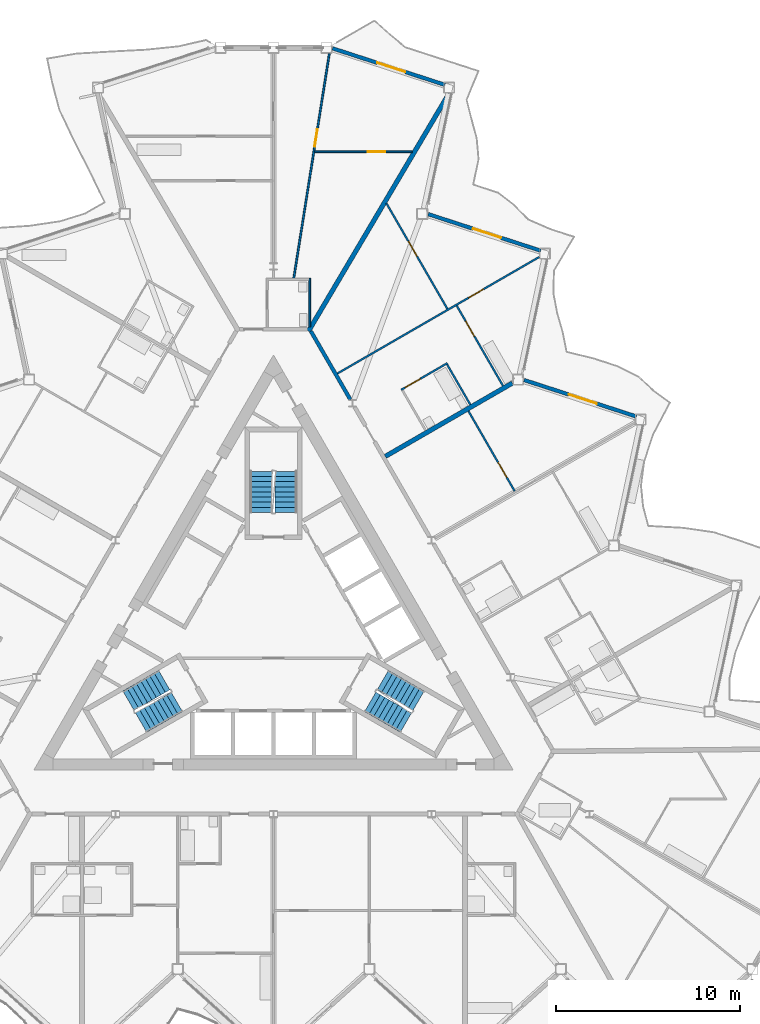
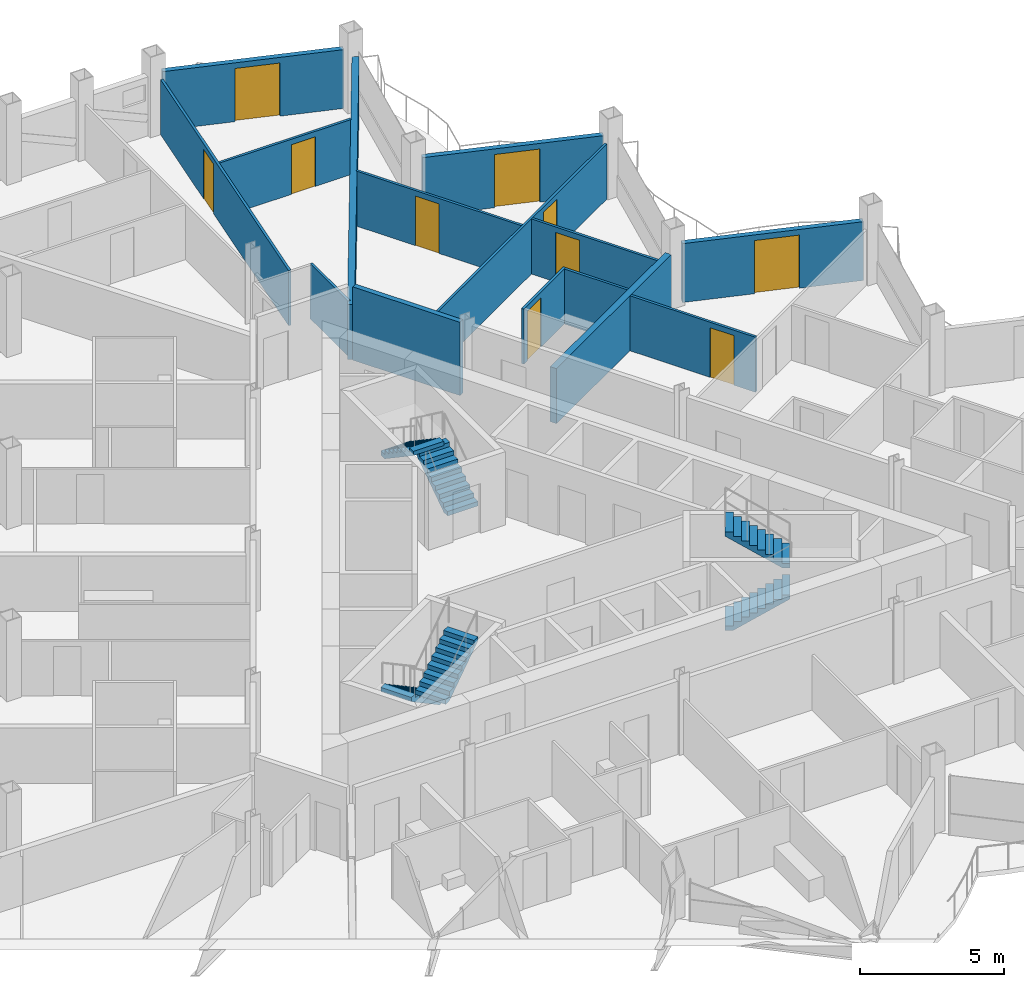
# One storey, part 19 of 27: 15 walls, 10 doors, 6 stair flights, 10 openings, 3 elements without a shape of their own.
"""IFC4 building model written with IfcOpenShell, lengths in metres."""

from ifc_helpers import new_model, si_unit, direction, frame, frame_2d, origin, place, context, subcontext, project, spatial, polyline, rectangle, outline, extrude, material, layer, layer_set, type_object, element, fill, aggregate, save


model = new_model("IFC4")

# Units and contexts
model_context = context("Model", 3, precision=1e-05, world=origin(), true_north=direction((0.0, 1.0)))
body_context = subcontext(model_context, "Body", "Model", "MODEL_VIEW")
ifc_project = project(units=[si_unit("LENGTHUNIT", "METRE"), si_unit("AREAUNIT", "SQUARE_METRE"), si_unit("VOLUMEUNIT", "CUBIC_METRE"), si_unit("PLANEANGLEUNIT", "RADIAN"), si_unit("MASSUNIT", "GRAM", prefix="KILO")], contexts=[model_context])

# Site, building, storey
site_placement = place(None, origin())
site = spatial("IfcSite", under=ifc_project, at=site_placement, CompositionType="ELEMENT")
building_placement = place(site_placement, origin())
building = spatial("IfcBuilding", under=site, at=building_placement, Name="Cormorant Prow Tower", CompositionType="ELEMENT")
storey_placement = place(building_placement, frame((0.0, 0.0, 335.800048828125)))
storey = spatial("IfcBuildingStorey", under=building, at=storey_placement, Name="L75", CompositionType="ELEMENT", Elevation=335.800048828125)

# Wall
ifc_material_1 = material(Name="Gypsum board corridor wall")
ifc_layer_1 = layer(ifc_material_1, 0.199951171875)
ifc_layer_set_1 = layer_set([ifc_layer_1], Name="Gypsum board corridor wall")
wall_type_1 = type_object("IfcWallType", Name="Corridor wall 200", PredefinedType="PARTITIONING", material=ifc_layer_set_1)
wall_1_placement = place(storey_placement, frame((2.025390625, 16.302978515625, 0.0), z_axis=(0.0, 0.0, 1.0), x_axis=(0.499978750566, -0.866037671803, 0.0)))
element("IfcWall", 1, at=wall_1_placement, inside=storey, type_object=wall_type_1, Name="Corridor wall", PredefinedType="PARTITIONING", context=body_context, shape_type="SweptSolid", body=[
    extrude(rectangle(XDim=4.287841796875, YDim=0.199951171875, at=frame_2d((2.14404296875, 0.0))), origin(), (0.0, 0.0, 1.0), 3.099853515625),
])

# Wall, opening, door
ifc_material_2 = material(Name="Gypsum board partition")
ifc_layer_2 = layer(ifc_material_2, 0.10009765625)
ifc_layer_set_2 = layer_set([ifc_layer_2], Name="Gypsum board partition")
wall_type_2 = type_object("IfcWallType", Name="Internal partition 100", PredefinedType="PARTITIONING", material=ifc_layer_set_2)
wall_2_placement = place(storey_placement, frame((3.46875, 14.0029296875, 0.0), z_axis=(0.0, 0.0, 1.0), x_axis=(0.866021563384, 0.50000665171, 0.0)))
wall_2 = element("IfcWall", 2, at=wall_2_placement, inside=storey, type_object=wall_type_2, Name="Internal partition", PredefinedType="PARTITIONING", context=body_context, shape_type="SweptSolid", body=[
    extrude(rectangle(XDim=12.641357421875, YDim=0.10009765625, at=frame_2d((6.32080078125, 0.0))), origin(), (0.0, 0.0, 1.0), 2.330078125),
])
opening_1_placement = place(wall_2_placement, frame((8.215087890625, 0.0, 0.0)))
opening_1 = element("IfcOpeningElement", 3, at=opening_1_placement, cuts=wall_2, Name="Opening L75-F35", PredefinedType="OPENING", context=body_context, shape_type="SweptSolid", body=[
    extrude(rectangle(XDim=0.949951171875, YDim=2.10009765625, at=frame_2d((0.47509765625, 1.050048828125))), frame((0.0, 0.06005859375, 0.0), z_axis=(0.0, -1.0, 0.0), x_axis=(1.0, 0.0, 0.0)), (0.0, 0.0, 1.0), 0.1201171875),
])
ifc_material_3 = material(Name="Timber door leaf", Category="wood")
door_type_1 = type_object("IfcDoorType", Name="Bathroom door 950x2100", OperationType="NOTDEFINED", PredefinedType="DOOR", material=ifc_material_3)
door_1_placement = place(opening_1_placement, origin())
door_1 = element("IfcDoor", 4, at=door_1_placement, inside=storey, type_object=door_type_1, Name="Kitchen door", OperationType="SINGLE_SWING_LEFT", OverallHeight=2.10009765625, OverallWidth=0.949951171875, PredefinedType="DOOR", context=body_context, shape_type="SweptSolid", body=[
    extrude(rectangle(XDim=0.949951171875, YDim=2.10009765625, at=frame_2d((0.47509765625, 1.050048828125))), frame((0.0, 0.02490234375, 0.0), z_axis=(0.0, -1.0, 0.0), x_axis=(1.0, 0.0, 0.0)), (0.0, 0.0, 1.0), 0.050048828125),
])
fill(opening_1, door_1)

wall_3_placement = place(storey_placement, frame((1.097900390625, 19.160400390625, 0.0), z_axis=(0.0, 0.0, 1.0), x_axis=(0.156426176129, 0.987689653394, 0.0)))
wall_3 = element("IfcWall", 5, at=wall_3_placement, inside=storey, type_object=wall_type_2, Name="Internal partition", PredefinedType="PARTITIONING", context=body_context, shape_type="SweptSolid", body=[
    extrude(rectangle(XDim=12.35791015625, YDim=0.10009765625, at=frame_2d((6.178955078125, 0.0))), origin(), (0.0, 0.0, 1.0), 2.330078125),
])
opening_2_placement = place(wall_3_placement, frame((7.2548828125, 0.0, 0.0)))
opening_2 = element("IfcOpeningElement", 6, at=opening_2_placement, cuts=wall_3, Name="Opening L75-F42", PredefinedType="OPENING", context=body_context, shape_type="SweptSolid", body=[
    extrude(rectangle(XDim=0.949951171875, YDim=2.10009765625, at=frame_2d((0.47509765625, 1.050048828125))), frame((0.0, 0.06005859375, 0.0), z_axis=(0.0, -1.0, 0.0), x_axis=(1.0, 0.0, 0.0)), (0.0, 0.0, 1.0), 0.1201171875),
])
door_2_placement = place(opening_2_placement, origin())
door_2 = element("IfcDoor", 7, at=door_2_placement, inside=storey, type_object=door_type_1, Name="Bedroom door", OperationType="SINGLE_SWING_LEFT", OverallHeight=2.10009765625, OverallWidth=0.949951171875, PredefinedType="DOOR", context=body_context, shape_type="SweptSolid", body=[
    extrude(rectangle(XDim=0.949951171875, YDim=2.10009765625, at=frame_2d((0.47509765625, 1.050048828125))), frame((0.0, 0.02490234375, 0.0), z_axis=(0.0, -1.0, 0.0), x_axis=(1.0, 0.0, 0.0)), (0.0, 0.0, 1.0), 0.050048828125),
])
fill(opening_2, door_2)

wall_4_placement = place(storey_placement, frame((6.127197265625, 23.2412109375, 0.0), z_axis=(0.0, 0.0, 1.0), x_axis=(0.500021410345, -0.866013042163, 0.0)))
wall_4 = element("IfcWall", 8, at=wall_4_placement, inside=storey, type_object=wall_type_2, Name="Internal partition", PredefinedType="PARTITIONING", context=body_context, shape_type="SweptSolid", body=[
    extrude(rectangle(XDim=6.621337890625, YDim=0.10009765625, at=frame_2d((3.310546875, 0.0))), origin(), (0.0, 0.0, 1.0), 2.330078125),
])
opening_3_placement = place(wall_4_placement, frame((2.37939453125, 0.0, 0.0)))
opening_3 = element("IfcOpeningElement", 9, at=opening_3_placement, cuts=wall_4, Name="Opening L75-F36", PredefinedType="OPENING", context=body_context, shape_type="SweptSolid", body=[
    extrude(rectangle(XDim=0.949951171875, YDim=2.10009765625, at=frame_2d((0.47509765625, 1.050048828125))), frame((0.0, 0.06005859375, 0.0), z_axis=(0.0, -1.0, 0.0), x_axis=(1.0, 0.0, 0.0)), (0.0, 0.0, 1.0), 0.1201171875),
])
door_3_placement = place(opening_3_placement, origin())
door_3 = element("IfcDoor", 10, at=door_3_placement, inside=storey, type_object=door_type_1, Name="Bedroom door", OperationType="SINGLE_SWING_LEFT", OverallHeight=2.10009765625, OverallWidth=0.949951171875, PredefinedType="DOOR", context=body_context, shape_type="SweptSolid", body=[
    extrude(rectangle(XDim=0.949951171875, YDim=2.10009765625, at=frame_2d((0.47509765625, 1.050048828125))), frame((0.0, 0.02490234375, 0.0), z_axis=(0.0, -1.0, 0.0), x_axis=(1.0, 0.0, 0.0)), (0.0, 0.0, 1.0), 0.050048828125),
])
fill(opening_3, door_3)

wall_5_placement = place(storey_placement, frame((2.236572265625, 26.034423828125, 0.0), z_axis=(0.0, 0.0, 1.0), x_axis=(1.0, 0.0, 0.0)))
wall_5 = element("IfcWall", 11, at=wall_5_placement, inside=storey, type_object=wall_type_2, Name="Internal partition", PredefinedType="PARTITIONING", context=body_context, shape_type="SweptSolid", body=[
    extrude(rectangle(XDim=5.282470703125, YDim=0.10009765625, at=frame_2d((2.64111328125, 0.0))), origin(), (0.0, 0.0, 1.0), 2.330078125),
])
opening_4_placement = place(wall_5_placement, frame((2.8720703125, 0.0, 0.0)))
opening_4 = element("IfcOpeningElement", 12, at=opening_4_placement, cuts=wall_5, Name="Opening L75-F43", PredefinedType="OPENING", context=body_context, shape_type="SweptSolid", body=[
    extrude(rectangle(XDim=0.949951171875, YDim=2.10009765625, at=frame_2d((0.47509765625, 1.050048828125))), frame((0.0, 0.06005859375, 0.0), z_axis=(0.0, -1.0, 0.0), x_axis=(1.0, 0.0, 0.0)), (0.0, 0.0, 1.0), 0.1201171875),
])
door_4_placement = place(opening_4_placement, origin())
door_4 = element("IfcDoor", 13, at=door_4_placement, inside=storey, type_object=door_type_1, Name="Bedroom door", OperationType="SINGLE_SWING_LEFT", OverallHeight=2.10009765625, OverallWidth=0.949951171875, PredefinedType="DOOR", context=body_context, shape_type="SweptSolid", body=[
    extrude(rectangle(XDim=0.949951171875, YDim=2.10009765625, at=frame_2d((0.47509765625, 1.050048828125))), frame((0.0, 0.02490234375, 0.0), z_axis=(0.0, -1.0, 0.0), x_axis=(1.0, 0.0, 0.0)), (0.0, 0.0, 1.0), 0.050048828125),
])
fill(opening_4, door_4)

wall_6_placement = place(storey_placement, frame((10.579345703125, 11.9638671875, 0.0), z_axis=(0.0, 0.0, 1.0), x_axis=(0.499972176429, -0.866041467135, 0.0)))
wall_6 = element("IfcWall", 14, at=wall_6_placement, inside=storey, type_object=wall_type_2, Name="Internal partition", PredefinedType="PARTITIONING", context=body_context, shape_type="SweptSolid", body=[
    extrude(rectangle(XDim=5.021240234375, YDim=0.10009765625, at=frame_2d((2.5107421875, 0.0))), origin(), (0.0, 0.0, 1.0), 2.330078125),
])
opening_5_placement = place(wall_6_placement, frame((3.208984375, 0.0, 0.0)))
opening_5 = element("IfcOpeningElement", 15, at=opening_5_placement, cuts=wall_6, Name="Opening L75-F30", PredefinedType="OPENING", context=body_context, shape_type="SweptSolid", body=[
    extrude(rectangle(XDim=0.949951171875, YDim=2.10009765625, at=frame_2d((0.47509765625, 1.050048828125))), frame((0.0, 0.06005859375, 0.0), z_axis=(0.0, -1.0, 0.0), x_axis=(1.0, 0.0, 0.0)), (0.0, 0.0, 1.0), 0.1201171875),
])
door_5_placement = place(opening_5_placement, origin())
door_5 = element("IfcDoor", 16, at=door_5_placement, inside=storey, type_object=door_type_1, Name="Bedroom door", OperationType="SINGLE_SWING_RIGHT", OverallHeight=2.10009765625, OverallWidth=0.949951171875, PredefinedType="DOOR", context=body_context, shape_type="SweptSolid", body=[
    extrude(rectangle(XDim=0.949951171875, YDim=2.10009765625, at=frame_2d((0.47509765625, 1.050048828125))), frame((0.0, 0.02490234375, 0.0), z_axis=(0.0, -1.0, 0.0), x_axis=(1.0, 0.0, 0.0)), (0.0, 0.0, 1.0), 0.050048828125),
])
fill(opening_5, door_5)

wall_7_placement = place(storey_placement, frame((9.943603515625, 17.68359375, 0.0), z_axis=(0.0, 0.0, 1.0), x_axis=(0.499972176429, -0.866041467135, 0.0)))
wall_7 = element("IfcWall", 17, at=wall_7_placement, inside=storey, type_object=wall_type_2, Name="Internal partition", PredefinedType="PARTITIONING", context=body_context, shape_type="SweptSolid", body=[
    extrude(rectangle(XDim=5.021240234375, YDim=0.10009765625, at=frame_2d((2.5107421875, 0.0))), origin(), (0.0, 0.0, 1.0), 2.330078125),
])
opening_6_placement = place(wall_7_placement, frame((0.96435546875, 0.0, 0.0)))
opening_6 = element("IfcOpeningElement", 18, at=opening_6_placement, cuts=wall_7, Name="Opening L75-F34", PredefinedType="OPENING", context=body_context, shape_type="SweptSolid", body=[
    extrude(rectangle(XDim=0.949951171875, YDim=2.10009765625, at=frame_2d((0.47509765625, 1.050048828125))), frame((0.0, 0.06005859375, 0.0), z_axis=(0.0, -1.0, 0.0), x_axis=(1.0, 0.0, 0.0)), (0.0, 0.0, 1.0), 0.1201171875),
])
door_6_placement = place(opening_6_placement, origin())
door_6 = element("IfcDoor", 19, at=door_6_placement, inside=storey, type_object=door_type_1, Name="Living room door", OperationType="SINGLE_SWING_LEFT", OverallHeight=2.10009765625, OverallWidth=0.949951171875, PredefinedType="DOOR", context=body_context, shape_type="SweptSolid", body=[
    extrude(rectangle(XDim=0.949951171875, YDim=2.10009765625, at=frame_2d((0.47509765625, 1.050048828125))), frame((0.0, 0.02490234375, 0.0), z_axis=(0.0, -1.0, 0.0), x_axis=(1.0, 0.0, 0.0)), (0.0, 0.0, 1.0), 0.050048828125),
])
fill(opening_6, door_6)

wall_8_placement = place(storey_placement, frame((6.92529296875, 13.1162109375, 0.0), z_axis=(0.0, 0.0, 1.0), x_axis=(0.866032775405, 0.499987231761, 0.0)))
wall_8 = element("IfcWall", 20, at=wall_8_placement, inside=storey, type_object=wall_type_2, Name="Internal partition", PredefinedType="PARTITIONING", context=body_context, shape_type="SweptSolid", body=[
    extrude(rectangle(XDim=2.89990234375, YDim=0.10009765625, at=frame_2d((1.449951171875, 0.0))), origin(), (0.0, 0.0, 1.0), 2.330078125),
])
opening_7_placement = place(wall_8_placement, frame((0.25, 0.0, 0.0)))
opening_7 = element("IfcOpeningElement", 21, at=opening_7_placement, cuts=wall_8, Name="Opening L75-F33", PredefinedType="OPENING", context=body_context, shape_type="SweptSolid", body=[
    extrude(rectangle(XDim=0.949951171875, YDim=2.10009765625, at=frame_2d((0.47509765625, 1.050048828125))), frame((0.0, 0.06005859375, 0.0), z_axis=(0.0, -1.0, 0.0), x_axis=(1.0, 0.0, 0.0)), (0.0, 0.0, 1.0), 0.1201171875),
])
door_7_placement = place(opening_7_placement, origin())
door_7 = element("IfcDoor", 22, at=door_7_placement, inside=storey, type_object=door_type_1, Name="Living room door", OperationType="SINGLE_SWING_LEFT", OverallHeight=2.10009765625, OverallWidth=0.949951171875, PredefinedType="DOOR", context=body_context, shape_type="SweptSolid", body=[
    extrude(rectangle(XDim=0.949951171875, YDim=2.10009765625, at=frame_2d((0.47509765625, 1.050048828125))), frame((0.0, 0.02490234375, 0.0), z_axis=(0.0, -1.0, 0.0), x_axis=(1.0, 0.0, 0.0)), (0.0, 0.0, 1.0), 0.050048828125),
])
fill(opening_7, door_7)

# Walls
wall_9_placement = place(storey_placement, frame((1.962890625, 16.5361328125, 0.0), z_axis=(0.0, 0.0, 1.0), x_axis=(0.0, 1.0, 0.0)))
element("IfcWall", 23, at=wall_9_placement, inside=storey, type_object=wall_type_2, Name="Internal partition", PredefinedType="PARTITIONING", context=body_context, shape_type="SweptSolid", body=[
    extrude(rectangle(XDim=2.625, YDim=0.10009765625, at=frame_2d((1.3125, 0.0))), origin(), (0.0, 0.0, 1.0), 2.330078125),
])
wall_10_placement = place(storey_placement, frame((9.41845703125, 14.497802734375, 0.0), z_axis=(0.0, 0.0, 1.0), x_axis=(0.499976333282, -0.866039067339, 0.0)))
element("IfcWall", 24, at=wall_10_placement, inside=storey, type_object=wall_type_2, Name="Internal partition", PredefinedType="PARTITIONING", context=body_context, shape_type="SweptSolid", body=[
    extrude(rectangle(XDim=2.52490234375, YDim=0.10009765625, at=frame_2d((1.262451171875, 0.0))), origin(), (0.0, 0.0, 1.0), 2.330078125),
])
ifc_material_4 = material(Name="Acoustic gypsum party wall")
ifc_layer_3 = layer(ifc_material_4, 0.25)
ifc_layer_set_3 = layer_set([ifc_layer_3], Name="Acoustic gypsum party wall")
wall_type_3 = type_object("IfcWallType", Name="Suite party wall 250", PredefinedType="PARTITIONING", material=ifc_layer_set_3)
wall_11_placement = place(storey_placement, frame((1.8994140625, 16.303466796875, 0.0), z_axis=(0.0, 0.0, 1.0), x_axis=(0.508895604687, 0.860828242758, 0.0)))
element("IfcWall", 25, at=wall_11_placement, inside=storey, type_object=wall_type_3, Name="Suite party wall", PredefinedType="PARTITIONING", context=body_context, shape_type="SweptSolid", body=[
    extrude(rectangle(XDim=14.986328125, YDim=0.25, at=frame_2d((7.4931640625, 0.0))), origin(), (0.0, 0.0, 1.0), 2.330078125),
])
wall_12_placement = place(storey_placement, frame((6.06689453125, 9.5029296875, 0.0), z_axis=(0.0, 0.0, 1.0), x_axis=(0.866032392051, 0.499987895772, 0.0)))
element("IfcWall", 26, at=wall_12_placement, inside=storey, type_object=wall_type_3, Name="Suite party wall", PredefinedType="PARTITIONING", context=body_context, shape_type="SweptSolid", body=[
    extrude(rectangle(XDim=7.961669921875, YDim=0.25, at=frame_2d((3.98095703125, 0.0))), origin(), (0.0, 0.0, 1.0), 2.330078125),
])

# Wall, opening, door
ifc_material_5 = material(Name="Terracotta", Category="masonry")
ifc_layer_4 = layer(ifc_material_5, 0.199951171875)
ifc_layer_set_4 = layer_set([ifc_layer_4], Name="Terracotta")
wall_type_4 = type_object("IfcWallType", Name="Terracotta jamb wall 200", PredefinedType="SOLIDWALL", material=ifc_layer_set_4)
wall_13_placement = place(storey_placement, frame((19.697021484375, 11.667236328125, 0.0), z_axis=(0.0, 0.0, 1.0), x_axis=(-0.951053926112, 0.309024966026, 0.0)))
wall_13 = element("IfcWall", 27, at=wall_13_placement, inside=storey, type_object=wall_type_4, Name="Terracotta jamb wall ENE05", PredefinedType="SOLIDWALL", context=body_context, shape_type="SweptSolid", body=[
    extrude(rectangle(XDim=6.414306640625, YDim=0.199951171875, at=frame_2d((3.20703125, 0.0))), origin(), (0.0, 0.0, 1.0), 2.48779296875),
])
opening_8_placement = place(wall_13_placement, frame((2.26220703125, 0.0, 0.0)))
opening_8 = element("IfcOpeningElement", 28, at=opening_8_placement, cuts=wall_13, Name="Opening ED75.08", PredefinedType="OPENING", context=body_context, shape_type="SweptSolid", body=[
    extrude(rectangle(XDim=1.60009765625, YDim=2.25, at=frame_2d((0.800048828125, 1.125))), frame((0.0, 0.10986328125, 0.0), z_axis=(0.0, -1.0, 0.0), x_axis=(1.0, 0.0, 0.0)), (0.0, 0.0, 1.0), 0.219970703125),
])
ifc_material_6 = material(Name="Aluminium 6063-T6", Category="aluminium")
door_type_2 = type_object("IfcDoorType", Name="Balcony door 1600x2250", OperationType="DOUBLE_DOOR_SINGLE_SWING", PredefinedType="DOOR", material=ifc_material_6)
door_8_placement = place(opening_8_placement, origin())
door_8 = element("IfcDoor", 29, at=door_8_placement, inside=storey, type_object=door_type_2, Name="Balcony door ENE05 ED75.08", OperationType="DOUBLE_DOOR_SINGLE_SWING", OverallHeight=2.25, OverallWidth=1.60009765625, PredefinedType="DOOR", context=body_context, shape_type="SweptSolid", body=[
    extrude(rectangle(XDim=1.60009765625, YDim=2.25, at=frame_2d((0.800048828125, 1.125))), frame((0.0, 0.02490234375, 0.0), z_axis=(0.0, -1.0, 0.0), x_axis=(1.0, 0.0, 0.0)), (0.0, 0.0, 1.0), 0.050048828125),
])
fill(opening_8, door_8)

wall_14_placement = place(storey_placement, frame((14.500732421875, 20.66748046875, 0.0), z_axis=(0.0, 0.0, 1.0), x_axis=(-0.951049165164, 0.309039617915, 0.0)))
wall_14 = element("IfcWall", 30, at=wall_14_placement, inside=storey, type_object=wall_type_4, Name="Terracotta jamb wall ENE07", PredefinedType="SOLIDWALL", context=body_context, shape_type="SweptSolid", body=[
    extrude(rectangle(XDim=6.417236328125, YDim=0.199951171875, at=frame_2d((3.20849609375, 0.0))), origin(), (0.0, 0.0, 1.0), 2.48779296875),
])
opening_9_placement = place(wall_14_placement, frame((2.26220703125, 0.0, 0.0)))
opening_9 = element("IfcOpeningElement", 31, at=opening_9_placement, cuts=wall_14, Name="Opening ED75.09", PredefinedType="OPENING", context=body_context, shape_type="SweptSolid", body=[
    extrude(rectangle(XDim=1.60009765625, YDim=2.25, at=frame_2d((0.800048828125, 1.125))), frame((0.0, 0.10986328125, 0.0), z_axis=(0.0, -1.0, 0.0), x_axis=(1.0, 0.0, 0.0)), (0.0, 0.0, 1.0), 0.219970703125),
])
door_9_placement = place(opening_9_placement, origin())
door_9 = element("IfcDoor", 32, at=door_9_placement, inside=storey, type_object=door_type_2, Name="Balcony door ENE07 ED75.09", OperationType="DOUBLE_DOOR_SINGLE_SWING", OverallHeight=2.25, OverallWidth=1.60009765625, PredefinedType="DOOR", context=body_context, shape_type="SweptSolid", body=[
    extrude(rectangle(XDim=1.60009765625, YDim=2.25, at=frame_2d((0.800048828125, 1.125))), frame((0.0, 0.02490234375, 0.0), z_axis=(0.0, -1.0, 0.0), x_axis=(1.0, 0.0, 0.0)), (0.0, 0.0, 1.0), 0.050048828125),
])
fill(opening_9, door_9)

wall_15_placement = place(storey_placement, frame((9.304443359375, 29.667724609375, 0.0), z_axis=(0.0, 0.0, 1.0), x_axis=(-0.951059216388, 0.309008684221, 0.0)))
wall_15 = element("IfcWall", 33, at=wall_15_placement, inside=storey, type_object=wall_type_4, Name="Terracotta jamb wall ENE09", PredefinedType="SOLIDWALL", context=body_context, shape_type="SweptSolid", body=[
    extrude(rectangle(XDim=6.420166015625, YDim=0.199951171875, at=frame_2d((3.2099609375, 0.0))), origin(), (0.0, 0.0, 1.0), 2.48779296875),
])
opening_10_placement = place(wall_15_placement, frame((2.26220703125, 0.0, 0.0)))
opening_10 = element("IfcOpeningElement", 34, at=opening_10_placement, cuts=wall_15, Name="Opening ED75.10", PredefinedType="OPENING", context=body_context, shape_type="SweptSolid", body=[
    extrude(rectangle(XDim=1.60009765625, YDim=2.25, at=frame_2d((0.800048828125, 1.125))), frame((0.0, 0.10986328125, 0.0), z_axis=(0.0, -1.0, 0.0), x_axis=(1.0, 0.0, 0.0)), (0.0, 0.0, 1.0), 0.219970703125),
])
door_10_placement = place(opening_10_placement, origin())
door_10 = element("IfcDoor", 35, at=door_10_placement, inside=storey, type_object=door_type_2, Name="Balcony door ENE09 ED75.10", OperationType="DOUBLE_DOOR_SINGLE_SWING", OverallHeight=2.25, OverallWidth=1.60009765625, PredefinedType="DOOR", context=body_context, shape_type="SweptSolid", body=[
    extrude(rectangle(XDim=1.60009765625, YDim=2.25, at=frame_2d((0.800048828125, 1.125))), frame((0.0, 0.02490234375, 0.0), z_axis=(0.0, -1.0, 0.0), x_axis=(1.0, 0.0, 0.0)), (0.0, 0.0, 1.0), 0.050048828125),
])
fill(opening_10, door_10)

# Stair, stair flights
ifc_material_7 = material(Name="Exit stair 18 risers")
stair_type = type_object("IfcStairType", Name="Exit stair 18 risers", PredefinedType="HALF_TURN_STAIR", material=ifc_material_7)
stair_1_placement = place(storey_placement, origin())
stair_1 = element("IfcStair", 36, at=stair_1_placement, inside=storey, type_object=stair_type, Name="L75 Exit stair ST1", PredefinedType="HALF_TURN_STAIR")
ifc_material_8 = material(Name="Concrete 5000 psi", Category="concrete")
stair_flight_type = type_object("IfcStairFlightType", Name="Stair flight 1219", PredefinedType="STRAIGHT", material=ifc_material_8)
stair_flight_1_placement = place(storey_placement, frame((-5.93310546875, -2.635009765625, 0.0), z_axis=(0.0, 0.0, 1.0), x_axis=(-0.866025403784, -0.5, 0.0)))
stair_flight_1 = element("IfcStairFlight", 37, at=stair_flight_1_placement, type_object=stair_flight_type, Name="ST1 flight 1", NumberOfRisers=9, NumberOfTreads=8, PredefinedType="STRAIGHT", RiserHeight=0.188888889, TreadLength=0.28, context=body_context, shape_type="SweptSolid", body=[
    extrude(outline(polyline([(0.0, 0.0), (0.0, 0.18896484375), (0.280029296875, 0.18896484375), (0.280029296875, 0.377685546875), (0.56005859375, 0.377685546875), (0.56005859375, 0.566650390625), (0.840087890625, 0.566650390625), (0.840087890625, 0.755615234375), (1.1201171875, 0.755615234375), (1.1201171875, 0.9443359375), (1.39990234375, 0.9443359375), (1.39990234375, 1.13330078125), (1.679931640625, 1.13330078125), (1.679931640625, 1.322265625), (1.9599609375, 1.322265625), (1.9599609375, 1.51123046875), (2.239990234375, 1.51123046875), (2.239990234375, 1.699951171875), (2.239990234375, 1.330322265625), (0.26806640625, 0.0), (0.0, 0.0)])), frame((0.0, 0.609375, 0.0), z_axis=(0.0, -1.0, 0.0), x_axis=(1.0, 0.0, 0.0)), (0.0, 0.0, 1.0), 1.218994140625),
])
stair_flight_2_placement = place(storey_placement, frame((-7.1884765625, -4.940673828125, 1.699951171875), z_axis=(0.0, 0.0, 1.0), x_axis=(0.866025403784, 0.5, 0.0)))
stair_flight_2 = element("IfcStairFlight", 38, at=stair_flight_2_placement, type_object=stair_flight_type, Name="ST1 flight 2", NumberOfRisers=9, NumberOfTreads=8, PredefinedType="STRAIGHT", RiserHeight=0.188888889, TreadLength=0.28, context=body_context, shape_type="SweptSolid", body=[
    extrude(outline(polyline([(0.0, 0.0), (0.0, 0.18896484375), (0.280029296875, 0.18896484375), (0.280029296875, 0.377685546875), (0.56005859375, 0.377685546875), (0.56005859375, 0.566650390625), (0.840087890625, 0.566650390625), (0.840087890625, 0.755615234375), (1.1201171875, 0.755615234375), (1.1201171875, 0.9443359375), (1.39990234375, 0.9443359375), (1.39990234375, 1.13330078125), (1.679931640625, 1.13330078125), (1.679931640625, 1.322265625), (1.9599609375, 1.322265625), (1.9599609375, 1.51123046875), (2.239990234375, 1.51123046875), (2.239990234375, 1.699951171875), (2.239990234375, 1.330322265625), (0.26806640625, 0.0), (0.0, 0.0)])), frame((0.0, 0.609375, 0.0), z_axis=(0.0, -1.0, 0.0), x_axis=(1.0, 0.0, 0.0)), (0.0, 0.0, 1.0), 1.218994140625),
])
aggregate(stair_1, [stair_flight_1, stair_flight_2])

stair_2_placement = place(storey_placement, origin())
stair_2 = element("IfcStair", 39, at=stair_2_placement, inside=storey, type_object=stair_type, Name="L75 Exit stair ST2", PredefinedType="HALF_TURN_STAIR")
stair_flight_3_placement = place(storey_placement, frame((5.24853515625, -3.82080078125, 0.0), z_axis=(0.0, 0.0, 1.0), x_axis=(0.866025403784, -0.5, 0.0)))
stair_flight_3 = element("IfcStairFlight", 40, at=stair_flight_3_placement, type_object=stair_flight_type, Name="ST2 flight 1", NumberOfRisers=9, NumberOfTreads=8, PredefinedType="STRAIGHT", RiserHeight=0.188888889, TreadLength=0.28, context=body_context, shape_type="SweptSolid", body=[
    extrude(outline(polyline([(0.0, 0.0), (0.0, 0.18896484375), (0.280029296875, 0.18896484375), (0.280029296875, 0.377685546875), (0.56005859375, 0.377685546875), (0.56005859375, 0.566650390625), (0.840087890625, 0.566650390625), (0.840087890625, 0.755615234375), (1.1201171875, 0.755615234375), (1.1201171875, 0.9443359375), (1.39990234375, 0.9443359375), (1.39990234375, 1.13330078125), (1.679931640625, 1.13330078125), (1.679931640625, 1.322265625), (1.9599609375, 1.322265625), (1.9599609375, 1.51123046875), (2.239990234375, 1.51123046875), (2.239990234375, 1.699951171875), (2.239990234375, 1.330322265625), (0.26806640625, 0.0), (0.0, 0.0)])), frame((0.0, 0.609375, 0.0), z_axis=(0.0, -1.0, 0.0), x_axis=(1.0, 0.0, 0.0)), (0.0, 0.0, 1.0), 1.218994140625),
])
stair_flight_4_placement = place(storey_placement, frame((7.873046875, -3.755126953125, 1.699951171875), z_axis=(0.0, 0.0, 1.0), x_axis=(-0.866025403784, 0.5, 0.0)))
stair_flight_4 = element("IfcStairFlight", 41, at=stair_flight_4_placement, type_object=stair_flight_type, Name="ST2 flight 2", NumberOfRisers=9, NumberOfTreads=8, PredefinedType="STRAIGHT", RiserHeight=0.188888889, TreadLength=0.28, context=body_context, shape_type="SweptSolid", body=[
    extrude(outline(polyline([(0.0, 0.0), (0.0, 0.18896484375), (0.280029296875, 0.18896484375), (0.280029296875, 0.377685546875), (0.56005859375, 0.377685546875), (0.56005859375, 0.566650390625), (0.840087890625, 0.566650390625), (0.840087890625, 0.755615234375), (1.1201171875, 0.755615234375), (1.1201171875, 0.9443359375), (1.39990234375, 0.9443359375), (1.39990234375, 1.13330078125), (1.679931640625, 1.13330078125), (1.679931640625, 1.322265625), (1.9599609375, 1.322265625), (1.9599609375, 1.51123046875), (2.239990234375, 1.51123046875), (2.239990234375, 1.699951171875), (2.239990234375, 1.330322265625), (0.26806640625, 0.0), (0.0, 0.0)])), frame((0.0, 0.609375, 0.0), z_axis=(0.0, -1.0, 0.0), x_axis=(1.0, 0.0, 0.0)), (0.0, 0.0, 1.0), 1.218994140625),
])
aggregate(stair_2, [stair_flight_3, stair_flight_4])

stair_3_placement = place(storey_placement, origin())
stair_3 = element("IfcStair", 42, at=stair_3_placement, inside=storey, type_object=stair_type, Name="L75 Exit stair ST3", PredefinedType="HALF_TURN_STAIR")
stair_flight_5_placement = place(storey_placement, frame((0.6845703125, 6.455810546875, 0.0), z_axis=(0.0, 0.0, 1.0), x_axis=(0.0, 1.0, 0.0)))
stair_flight_5 = element("IfcStairFlight", 43, at=stair_flight_5_placement, type_object=stair_flight_type, Name="ST3 flight 1", NumberOfRisers=9, NumberOfTreads=8, PredefinedType="STRAIGHT", RiserHeight=0.188888889, TreadLength=0.28, context=body_context, shape_type="SweptSolid", body=[
    extrude(outline(polyline([(0.0, 0.0), (0.0, 0.18896484375), (0.280029296875, 0.18896484375), (0.280029296875, 0.377685546875), (0.56005859375, 0.377685546875), (0.56005859375, 0.566650390625), (0.840087890625, 0.566650390625), (0.840087890625, 0.755615234375), (1.1201171875, 0.755615234375), (1.1201171875, 0.9443359375), (1.39990234375, 0.9443359375), (1.39990234375, 1.13330078125), (1.679931640625, 1.13330078125), (1.679931640625, 1.322265625), (1.9599609375, 1.322265625), (1.9599609375, 1.51123046875), (2.239990234375, 1.51123046875), (2.239990234375, 1.699951171875), (2.239990234375, 1.330322265625), (0.26806640625, 0.0), (0.0, 0.0)])), frame((0.0, 0.609375, 0.0), z_axis=(0.0, -1.0, 0.0), x_axis=(1.0, 0.0, 0.0)), (0.0, 0.0, 1.0), 1.218994140625),
])
stair_flight_6_placement = place(storey_placement, frame((-0.6845703125, 8.69580078125, 1.699951171875), z_axis=(0.0, 0.0, 1.0), x_axis=(0.0, -1.0, 0.0)))
stair_flight_6 = element("IfcStairFlight", 44, at=stair_flight_6_placement, type_object=stair_flight_type, Name="ST3 flight 2", NumberOfRisers=9, NumberOfTreads=8, PredefinedType="STRAIGHT", RiserHeight=0.188888889, TreadLength=0.28, context=body_context, shape_type="SweptSolid", body=[
    extrude(outline(polyline([(0.0, 0.0), (0.0, 0.18896484375), (0.280029296875, 0.18896484375), (0.280029296875, 0.377685546875), (0.56005859375, 0.377685546875), (0.56005859375, 0.566650390625), (0.840087890625, 0.566650390625), (0.840087890625, 0.755615234375), (1.1201171875, 0.755615234375), (1.1201171875, 0.9443359375), (1.39990234375, 0.9443359375), (1.39990234375, 1.13330078125), (1.679931640625, 1.13330078125), (1.679931640625, 1.322265625), (1.9599609375, 1.322265625), (1.9599609375, 1.51123046875), (2.239990234375, 1.51123046875), (2.239990234375, 1.699951171875), (2.239990234375, 1.330322265625), (0.26806640625, 0.0), (0.0, 0.0)])), frame((0.0, 0.609375, 0.0), z_axis=(0.0, -1.0, 0.0), x_axis=(1.0, 0.0, 0.0)), (0.0, 0.0, 1.0), 1.218994140625),
])
aggregate(stair_3, [stair_flight_5, stair_flight_6])

save(model, "model.ifc")
